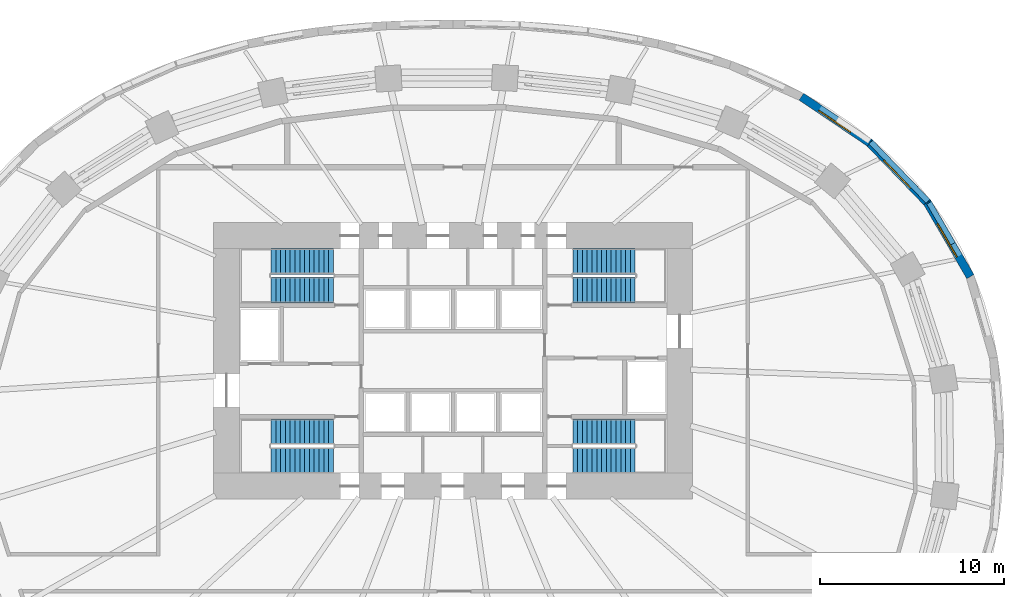
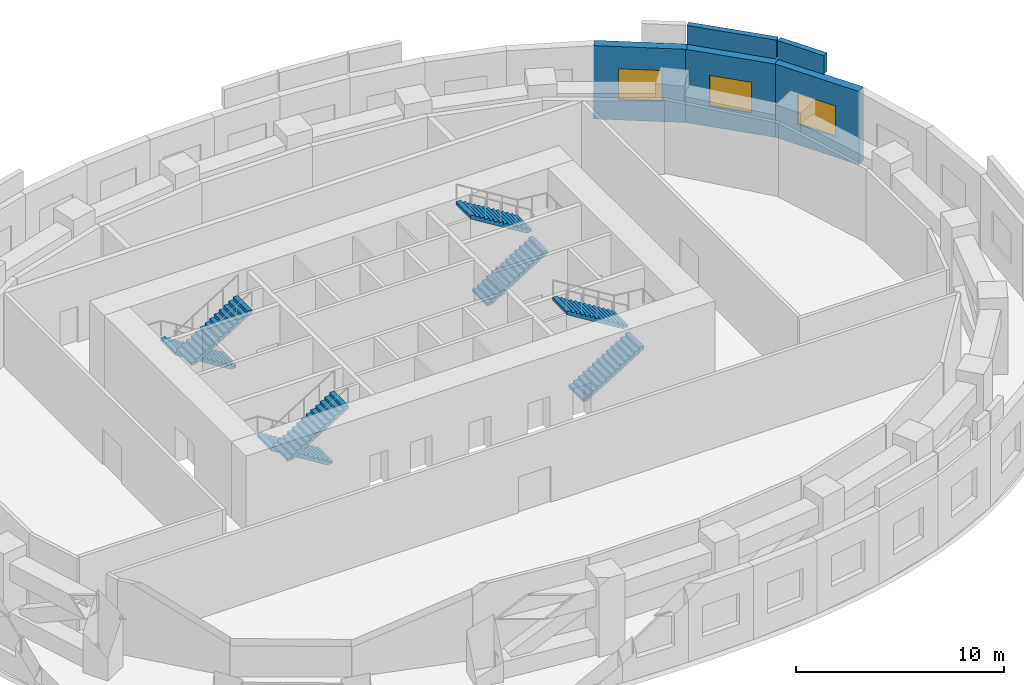
# One storey, part 8 of 9: 8 stair flights, 5 walls, 3 windows, 3 openings, 4 elements without a shape of their own.
"""IFC4 building model written with IfcOpenShell, lengths in metres."""

from ifc_helpers import new_model, si_unit, direction, frame, frame_2d, origin, place, context, subcontext, project, spatial, polyline, rectangle, outline, extrude, material, layer, layer_set, type_object, element, fill, aggregate, save


model = new_model("IFC4")

# Units and contexts
model_context = context("Model", 3, precision=1e-05, world=origin(), true_north=direction((0.0, 1.0)))
body_context = subcontext(model_context, "Body", "Model", "MODEL_VIEW")
ifc_project = project(units=[si_unit("LENGTHUNIT", "METRE"), si_unit("AREAUNIT", "SQUARE_METRE"), si_unit("VOLUMEUNIT", "CUBIC_METRE"), si_unit("PLANEANGLEUNIT", "RADIAN"), si_unit("MASSUNIT", "GRAM", prefix="KILO")], contexts=[model_context])

# Site, building, storey
site_placement = place(None, origin())
site = spatial("IfcSite", under=ifc_project, at=site_placement, CompositionType="ELEMENT")
building_placement = place(site_placement, origin())
building = spatial("IfcBuilding", under=site, at=building_placement, Name="Rubra Terraces Tower", CompositionType="ELEMENT")
storey_placement = place(building_placement, frame((0.0, 0.0, 33.0)))
storey = spatial("IfcBuildingStorey", under=building, at=storey_placement, Name="L05", CompositionType="ELEMENT", Elevation=33.0)

# Wall, opening, window
ifc_material_1 = material(Name="Brick masonry red-brown", Category="masonry")
ifc_layer_1 = layer(ifc_material_1, 0.449951171875)
ifc_layer_set_1 = layer_set([ifc_layer_1], Name="Brick masonry red-brown")
wall_type_1 = type_object("IfcWallType", Name="Brick facade wall 450", PredefinedType="SOLIDWALL", material=ifc_layer_set_1)
wall_1_placement = place(storey_placement, frame((28.073486328125, 9.072021484375, 0.0), z_axis=(0.0, 0.0, 1.0), x_axis=(-0.502106426501, 0.864805837438, 0.0)))
wall_1 = element("IfcWall", 1, at=wall_1_placement, inside=storey, type_object=wall_type_1, Name="Facade wall L05 bay 3", PredefinedType="SOLIDWALL", context=body_context, shape_type="SweptSolid", body=[
    extrude(rectangle(XDim=4.65673828125, YDim=0.449951171875, at=frame_2d((2.328369140625, 0.0))), origin(), (0.0, 0.0, 1.0), 4.300048828125),
])
opening_1_placement = place(wall_1_placement, frame((1.2783203125, 0.0, 1.199951171875)))
opening_1 = element("IfcOpeningElement", 2, at=opening_1_placement, cuts=wall_1, Name="Opening W4", PredefinedType="OPENING", context=body_context, shape_type="SweptSolid", body=[
    extrude(rectangle(XDim=2.10009765625, YDim=1.800048828125, at=frame_2d((1.050048828125, 0.89990234375))), frame((0.0, 0.23486328125, 0.0), z_axis=(0.0, -1.0, 0.0), x_axis=(1.0, 0.0, 0.0)), (0.0, 0.0, 1.0), 0.469970703125),
])
ifc_material_2 = material(Name="Clear glass in aluminium frame", Category="aluminium")
window_type = type_object("IfcWindowType", Name="Louvred plant window 2100 x 1800", PartitioningType="SINGLE_PANEL", PredefinedType="WINDOW", material=ifc_material_2)
window_1_placement = place(opening_1_placement, origin())
window_1 = element("IfcWindow", 3, at=window_1_placement, inside=storey, type_object=window_type, Name="Window L05 bay 3", OverallHeight=1.800048828125, OverallWidth=2.10009765625, PartitioningType="SINGLE_PANEL", PredefinedType="WINDOW", context=body_context, shape_type="SweptSolid", body=[
    extrude(rectangle(XDim=2.10009765625, YDim=1.800048828125, at=frame_2d((1.050048828125, 0.89990234375))), frame((0.0, 0.135009765625, 0.0), z_axis=(0.0, -1.0, 0.0), x_axis=(1.0, 0.0, 0.0)), (0.0, 0.0, 1.0), 0.06005859375),
])
fill(opening_1, window_1)

wall_2_placement = place(storey_placement, frame((25.76806640625, 13.055908203125, 0.0), z_axis=(0.0, 0.0, 1.0), x_axis=(-0.694191591241, 0.719790271294, 0.0)))
wall_2 = element("IfcWall", 4, at=wall_2_placement, inside=storey, type_object=wall_type_1, Name="Facade wall L05 bay 4", PredefinedType="SOLIDWALL", context=body_context, shape_type="SweptSolid", body=[
    extrude(rectangle(XDim=4.596923828125, YDim=0.449951171875, at=frame_2d((2.29833984375, 0.0))), origin(), (0.0, 0.0, 1.0), 4.300048828125),
])
opening_2_placement = place(wall_2_placement, frame((1.24853515625, 0.0, 1.199951171875)))
opening_2 = element("IfcOpeningElement", 5, at=opening_2_placement, cuts=wall_2, Name="Opening W4", PredefinedType="OPENING", context=body_context, shape_type="SweptSolid", body=[
    extrude(rectangle(XDim=2.10009765625, YDim=1.800048828125, at=frame_2d((1.050048828125, 0.89990234375))), frame((0.0, 0.23486328125, 0.0), z_axis=(0.0, -1.0, 0.0), x_axis=(1.0, 0.0, 0.0)), (0.0, 0.0, 1.0), 0.469970703125),
])
window_2_placement = place(opening_2_placement, origin())
window_2 = element("IfcWindow", 6, at=window_2_placement, inside=storey, type_object=window_type, Name="Window L05 bay 4", OverallHeight=1.800048828125, OverallWidth=2.10009765625, PartitioningType="SINGLE_PANEL", PredefinedType="WINDOW", context=body_context, shape_type="SweptSolid", body=[
    extrude(rectangle(XDim=2.10009765625, YDim=1.800048828125, at=frame_2d((1.050048828125, 0.89990234375))), frame((0.0, 0.135009765625, 0.0), z_axis=(0.0, -1.0, 0.0), x_axis=(1.0, 0.0, 0.0)), (0.0, 0.0, 1.0), 0.06005859375),
])
fill(opening_2, window_2)

wall_3_placement = place(storey_placement, frame((22.61328125, 16.33447265625, 0.0), z_axis=(0.0, 0.0, 1.0), x_axis=(-0.828976924359, 0.559282807604, 0.0)))
wall_3 = element("IfcWall", 7, at=wall_3_placement, inside=storey, type_object=wall_type_1, Name="Facade wall L05 bay 5", PredefinedType="SOLIDWALL", context=body_context, shape_type="SweptSolid", body=[
    extrude(rectangle(XDim=4.479248046875, YDim=0.449951171875, at=frame_2d((2.23974609375, 0.0))), origin(), (0.0, 0.0, 1.0), 4.300048828125),
])
opening_3_placement = place(wall_3_placement, frame((1.189453125, 0.0, 1.199951171875)))
opening_3 = element("IfcOpeningElement", 8, at=opening_3_placement, cuts=wall_3, Name="Opening W4", PredefinedType="OPENING", context=body_context, shape_type="SweptSolid", body=[
    extrude(rectangle(XDim=2.10009765625, YDim=1.800048828125, at=frame_2d((1.050048828125, 0.89990234375))), frame((0.0, 0.23486328125, 0.0), z_axis=(0.0, -1.0, 0.0), x_axis=(1.0, 0.0, 0.0)), (0.0, 0.0, 1.0), 0.469970703125),
])
window_3_placement = place(opening_3_placement, origin())
window_3 = element("IfcWindow", 9, at=window_3_placement, inside=storey, type_object=window_type, Name="Window L05 bay 5", OverallHeight=1.800048828125, OverallWidth=2.10009765625, PartitioningType="SINGLE_PANEL", PredefinedType="WINDOW", context=body_context, shape_type="SweptSolid", body=[
    extrude(rectangle(XDim=2.10009765625, YDim=1.800048828125, at=frame_2d((1.050048828125, 0.89990234375))), frame((0.0, 0.135009765625, 0.0), z_axis=(0.0, -1.0, 0.0), x_axis=(1.0, 0.0, 0.0)), (0.0, 0.0, 1.0), 0.06005859375),
])
fill(opening_3, window_3)

# Walls
ifc_layer_2 = layer(ifc_material_1, 0.300048828125)
ifc_layer_set_2 = layer_set([ifc_layer_2], Name="Brick masonry red-brown")
wall_type_2 = type_object("IfcWallType", Name="Brick parapet 300", PredefinedType="PARAPET", material=ifc_layer_set_2)
wall_4_placement = place(storey_placement, frame((27.1259765625, 10.853515625, 4.5), z_axis=(0.0, 0.0, 1.0), x_axis=(-0.502153823608, 0.864778316932, 0.0)))
element("IfcWall", 10, at=wall_4_placement, inside=storey, type_object=wall_type_2, Name="Parapet L05 bay 3", PredefinedType="PARAPET", context=body_context, shape_type="SweptSolid", body=[
    extrude(rectangle(XDim=2.573974609375, YDim=0.300048828125, at=frame_2d((1.287109375, 0.0))), origin(), (0.0, 0.0, 1.0), 1.10009765625),
])
wall_5_placement = place(storey_placement, frame((25.77587890625, 13.155517578125, 4.5), z_axis=(0.0, 0.0, 1.0), x_axis=(-0.694124449593, 0.719855019068, 0.0)))
element("IfcWall", 11, at=wall_5_placement, inside=storey, type_object=wall_type_2, Name="Parapet L05 bay 4", PredefinedType="PARAPET", context=body_context, shape_type="SweptSolid", body=[
    extrude(rectangle(XDim=4.468994140625, YDim=0.300048828125, at=frame_2d((2.234375, 0.0))), origin(), (0.0, 0.0, 1.0), 1.10009765625),
])

# Stair, stair flights
ifc_material_3 = material(Name="Concrete C40", Category="concrete")
stair_type = type_object("IfcStairType", Name="Core stair 1400", PredefinedType="HALF_TURN_STAIR", material=ifc_material_3)
stair_1_placement = place(storey_placement, origin())
stair_1 = element("IfcStair", 12, at=stair_1_placement, inside=storey, type_object=stair_type, Name="L05 Exit stair S1", PredefinedType="HALF_TURN_STAIR")
stair_flight_type = type_object("IfcStairFlightType", Name="Core stair flight 1400", PredefinedType="STRAIGHT", material=ifc_material_3)
stair_flight_1_placement = place(storey_placement, frame((-6.5, 0.64990234375, 0.0), z_axis=(0.0, 0.0, 1.0), x_axis=(-1.0, 0.0, 0.0)))
stair_flight_1 = element("IfcStairFlight", 13, at=stair_flight_1_placement, type_object=stair_flight_type, Name="S1 flight 1", NumberOfRisers=14, NumberOfTreads=13, PredefinedType="STRAIGHT", RiserHeight=0.160714286, TreadLength=0.26, context=body_context, shape_type="SweptSolid", body=[
    extrude(outline(polyline([(0.0, 0.0), (0.0, 0.16064453125), (0.260009765625, 0.16064453125), (0.260009765625, 0.321533203125), (0.52001953125, 0.321533203125), (0.52001953125, 0.482177734375), (0.780029296875, 0.482177734375), (0.780029296875, 0.642822265625), (1.0400390625, 0.642822265625), (1.0400390625, 0.803466796875), (1.300048828125, 0.803466796875), (1.300048828125, 0.96435546875), (1.56005859375, 0.96435546875), (1.56005859375, 1.125), (1.820068359375, 1.125), (1.820068359375, 1.28564453125), (2.080078125, 1.28564453125), (2.080078125, 1.446533203125), (2.340087890625, 1.446533203125), (2.340087890625, 1.607177734375), (2.60009765625, 1.607177734375), (2.60009765625, 1.767822265625), (2.860107421875, 1.767822265625), (2.860107421875, 1.928466796875), (3.1201171875, 1.928466796875), (3.1201171875, 2.08935546875), (3.3798828125, 2.08935546875), (3.3798828125, 2.25), (3.3798828125, 1.9130859375), (0.28515625, 0.0), (0.0, 0.0)])), frame((0.0, 0.699951171875, 0.0), z_axis=(0.0, -1.0, 0.0), x_axis=(1.0, 0.0, 0.0)), (0.0, 0.0, 1.0), 1.39990234375),
])
stair_flight_2_placement = place(storey_placement, frame((-9.8798828125, -0.89990234375, 2.25), z_axis=(0.0, 0.0, 1.0), x_axis=(1.0, 0.0, 0.0)))
stair_flight_2 = element("IfcStairFlight", 14, at=stair_flight_2_placement, type_object=stair_flight_type, Name="S1 flight 2", NumberOfRisers=14, NumberOfTreads=13, PredefinedType="STRAIGHT", RiserHeight=0.160714286, TreadLength=0.26, context=body_context, shape_type="SweptSolid", body=[
    extrude(outline(polyline([(0.0, 0.0), (0.0, 0.16064453125), (0.260009765625, 0.16064453125), (0.260009765625, 0.321533203125), (0.52001953125, 0.321533203125), (0.52001953125, 0.482177734375), (0.780029296875, 0.482177734375), (0.780029296875, 0.642822265625), (1.0400390625, 0.642822265625), (1.0400390625, 0.803466796875), (1.300048828125, 0.803466796875), (1.300048828125, 0.96435546875), (1.56005859375, 0.96435546875), (1.56005859375, 1.125), (1.820068359375, 1.125), (1.820068359375, 1.28564453125), (2.080078125, 1.28564453125), (2.080078125, 1.446533203125), (2.340087890625, 1.446533203125), (2.340087890625, 1.607177734375), (2.60009765625, 1.607177734375), (2.60009765625, 1.767822265625), (2.860107421875, 1.767822265625), (2.860107421875, 1.928466796875), (3.1201171875, 1.928466796875), (3.1201171875, 2.08935546875), (3.3798828125, 2.08935546875), (3.3798828125, 2.25), (3.3798828125, 1.9130859375), (0.28515625, 0.0), (0.0, 0.0)])), frame((0.0, 0.699951171875, 0.0), z_axis=(0.0, -1.0, 0.0), x_axis=(1.0, 0.0, 0.0)), (0.0, 0.0, 1.0), 1.39990234375),
])
aggregate(stair_1, [stair_flight_1, stair_flight_2])

stair_2_placement = place(storey_placement, origin())
stair_2 = element("IfcStair", 15, at=stair_2_placement, inside=storey, type_object=stair_type, Name="L05 Exit stair S2", PredefinedType="HALF_TURN_STAIR")
stair_flight_3_placement = place(storey_placement, frame((-6.5, 9.89990234375, 0.0), z_axis=(0.0, 0.0, 1.0), x_axis=(-1.0, 0.0, 0.0)))
stair_flight_3 = element("IfcStairFlight", 16, at=stair_flight_3_placement, type_object=stair_flight_type, Name="S2 flight 1", NumberOfRisers=14, NumberOfTreads=13, PredefinedType="STRAIGHT", RiserHeight=0.160714286, TreadLength=0.26, context=body_context, shape_type="SweptSolid", body=[
    extrude(outline(polyline([(0.0, 0.0), (0.0, 0.16064453125), (0.260009765625, 0.16064453125), (0.260009765625, 0.321533203125), (0.52001953125, 0.321533203125), (0.52001953125, 0.482177734375), (0.780029296875, 0.482177734375), (0.780029296875, 0.642822265625), (1.0400390625, 0.642822265625), (1.0400390625, 0.803466796875), (1.300048828125, 0.803466796875), (1.300048828125, 0.96435546875), (1.56005859375, 0.96435546875), (1.56005859375, 1.125), (1.820068359375, 1.125), (1.820068359375, 1.28564453125), (2.080078125, 1.28564453125), (2.080078125, 1.446533203125), (2.340087890625, 1.446533203125), (2.340087890625, 1.607177734375), (2.60009765625, 1.607177734375), (2.60009765625, 1.767822265625), (2.860107421875, 1.767822265625), (2.860107421875, 1.928466796875), (3.1201171875, 1.928466796875), (3.1201171875, 2.08935546875), (3.3798828125, 2.08935546875), (3.3798828125, 2.25), (3.3798828125, 1.9130859375), (0.28515625, 0.0), (0.0, 0.0)])), frame((0.0, 0.699951171875, 0.0), z_axis=(0.0, -1.0, 0.0), x_axis=(1.0, 0.0, 0.0)), (0.0, 0.0, 1.0), 1.39990234375),
])
stair_flight_4_placement = place(storey_placement, frame((-9.8798828125, 8.35009765625, 2.25), z_axis=(0.0, 0.0, 1.0), x_axis=(1.0, 0.0, 0.0)))
stair_flight_4 = element("IfcStairFlight", 17, at=stair_flight_4_placement, type_object=stair_flight_type, Name="S2 flight 2", NumberOfRisers=14, NumberOfTreads=13, PredefinedType="STRAIGHT", RiserHeight=0.160714286, TreadLength=0.26, context=body_context, shape_type="SweptSolid", body=[
    extrude(outline(polyline([(0.0, 0.0), (0.0, 0.16064453125), (0.260009765625, 0.16064453125), (0.260009765625, 0.321533203125), (0.52001953125, 0.321533203125), (0.52001953125, 0.482177734375), (0.780029296875, 0.482177734375), (0.780029296875, 0.642822265625), (1.0400390625, 0.642822265625), (1.0400390625, 0.803466796875), (1.300048828125, 0.803466796875), (1.300048828125, 0.96435546875), (1.56005859375, 0.96435546875), (1.56005859375, 1.125), (1.820068359375, 1.125), (1.820068359375, 1.28564453125), (2.080078125, 1.28564453125), (2.080078125, 1.446533203125), (2.340087890625, 1.446533203125), (2.340087890625, 1.607177734375), (2.60009765625, 1.607177734375), (2.60009765625, 1.767822265625), (2.860107421875, 1.767822265625), (2.860107421875, 1.928466796875), (3.1201171875, 1.928466796875), (3.1201171875, 2.08935546875), (3.3798828125, 2.08935546875), (3.3798828125, 2.25), (3.3798828125, 1.9130859375), (0.28515625, 0.0), (0.0, 0.0)])), frame((0.0, 0.699951171875, 0.0), z_axis=(0.0, -1.0, 0.0), x_axis=(1.0, 0.0, 0.0)), (0.0, 0.0, 1.0), 1.39990234375),
])
aggregate(stair_2, [stair_flight_3, stair_flight_4])

stair_3_placement = place(storey_placement, origin())
stair_3 = element("IfcStair", 18, at=stair_3_placement, inside=storey, type_object=stair_type, Name="L05 Exit stair S3", PredefinedType="HALF_TURN_STAIR")
stair_flight_5_placement = place(storey_placement, frame((6.5, 8.35009765625, 0.0), z_axis=(0.0, 0.0, 1.0), x_axis=(1.0, 0.0, 0.0)))
stair_flight_5 = element("IfcStairFlight", 19, at=stair_flight_5_placement, type_object=stair_flight_type, Name="S3 flight 1", NumberOfRisers=14, NumberOfTreads=13, PredefinedType="STRAIGHT", RiserHeight=0.160714286, TreadLength=0.26, context=body_context, shape_type="SweptSolid", body=[
    extrude(outline(polyline([(0.0, 0.0), (0.0, 0.16064453125), (0.260009765625, 0.16064453125), (0.260009765625, 0.321533203125), (0.52001953125, 0.321533203125), (0.52001953125, 0.482177734375), (0.780029296875, 0.482177734375), (0.780029296875, 0.642822265625), (1.0400390625, 0.642822265625), (1.0400390625, 0.803466796875), (1.300048828125, 0.803466796875), (1.300048828125, 0.96435546875), (1.56005859375, 0.96435546875), (1.56005859375, 1.125), (1.820068359375, 1.125), (1.820068359375, 1.28564453125), (2.080078125, 1.28564453125), (2.080078125, 1.446533203125), (2.340087890625, 1.446533203125), (2.340087890625, 1.607177734375), (2.60009765625, 1.607177734375), (2.60009765625, 1.767822265625), (2.860107421875, 1.767822265625), (2.860107421875, 1.928466796875), (3.1201171875, 1.928466796875), (3.1201171875, 2.08935546875), (3.3798828125, 2.08935546875), (3.3798828125, 2.25), (3.3798828125, 1.9130859375), (0.28515625, 0.0), (0.0, 0.0)])), frame((0.0, 0.699951171875, 0.0), z_axis=(0.0, -1.0, 0.0), x_axis=(1.0, 0.0, 0.0)), (0.0, 0.0, 1.0), 1.39990234375),
])
stair_flight_6_placement = place(storey_placement, frame((9.8798828125, 9.89990234375, 2.25), z_axis=(0.0, 0.0, 1.0), x_axis=(-1.0, 0.0, 0.0)))
stair_flight_6 = element("IfcStairFlight", 20, at=stair_flight_6_placement, type_object=stair_flight_type, Name="S3 flight 2", NumberOfRisers=14, NumberOfTreads=13, PredefinedType="STRAIGHT", RiserHeight=0.160714286, TreadLength=0.26, context=body_context, shape_type="SweptSolid", body=[
    extrude(outline(polyline([(0.0, 0.0), (0.0, 0.16064453125), (0.260009765625, 0.16064453125), (0.260009765625, 0.321533203125), (0.52001953125, 0.321533203125), (0.52001953125, 0.482177734375), (0.780029296875, 0.482177734375), (0.780029296875, 0.642822265625), (1.0400390625, 0.642822265625), (1.0400390625, 0.803466796875), (1.300048828125, 0.803466796875), (1.300048828125, 0.96435546875), (1.56005859375, 0.96435546875), (1.56005859375, 1.125), (1.820068359375, 1.125), (1.820068359375, 1.28564453125), (2.080078125, 1.28564453125), (2.080078125, 1.446533203125), (2.340087890625, 1.446533203125), (2.340087890625, 1.607177734375), (2.60009765625, 1.607177734375), (2.60009765625, 1.767822265625), (2.860107421875, 1.767822265625), (2.860107421875, 1.928466796875), (3.1201171875, 1.928466796875), (3.1201171875, 2.08935546875), (3.3798828125, 2.08935546875), (3.3798828125, 2.25), (3.3798828125, 1.9130859375), (0.28515625, 0.0), (0.0, 0.0)])), frame((0.0, 0.699951171875, 0.0), z_axis=(0.0, -1.0, 0.0), x_axis=(1.0, 0.0, 0.0)), (0.0, 0.0, 1.0), 1.39990234375),
])
aggregate(stair_3, [stair_flight_5, stair_flight_6])

stair_4_placement = place(storey_placement, origin())
stair_4 = element("IfcStair", 21, at=stair_4_placement, inside=storey, type_object=stair_type, Name="L05 Exit stair S4", PredefinedType="HALF_TURN_STAIR")
stair_flight_7_placement = place(storey_placement, frame((6.5, -0.89990234375, 0.0), z_axis=(0.0, 0.0, 1.0), x_axis=(1.0, 0.0, 0.0)))
stair_flight_7 = element("IfcStairFlight", 22, at=stair_flight_7_placement, type_object=stair_flight_type, Name="S4 flight 1", NumberOfRisers=14, NumberOfTreads=13, PredefinedType="STRAIGHT", RiserHeight=0.160714286, TreadLength=0.26, context=body_context, shape_type="SweptSolid", body=[
    extrude(outline(polyline([(0.0, 0.0), (0.0, 0.16064453125), (0.260009765625, 0.16064453125), (0.260009765625, 0.321533203125), (0.52001953125, 0.321533203125), (0.52001953125, 0.482177734375), (0.780029296875, 0.482177734375), (0.780029296875, 0.642822265625), (1.0400390625, 0.642822265625), (1.0400390625, 0.803466796875), (1.300048828125, 0.803466796875), (1.300048828125, 0.96435546875), (1.56005859375, 0.96435546875), (1.56005859375, 1.125), (1.820068359375, 1.125), (1.820068359375, 1.28564453125), (2.080078125, 1.28564453125), (2.080078125, 1.446533203125), (2.340087890625, 1.446533203125), (2.340087890625, 1.607177734375), (2.60009765625, 1.607177734375), (2.60009765625, 1.767822265625), (2.860107421875, 1.767822265625), (2.860107421875, 1.928466796875), (3.1201171875, 1.928466796875), (3.1201171875, 2.08935546875), (3.3798828125, 2.08935546875), (3.3798828125, 2.25), (3.3798828125, 1.9130859375), (0.28515625, 0.0), (0.0, 0.0)])), frame((0.0, 0.699951171875, 0.0), z_axis=(0.0, -1.0, 0.0), x_axis=(1.0, 0.0, 0.0)), (0.0, 0.0, 1.0), 1.39990234375),
])
stair_flight_8_placement = place(storey_placement, frame((9.8798828125, 0.64990234375, 2.25), z_axis=(0.0, 0.0, 1.0), x_axis=(-1.0, 0.0, 0.0)))
stair_flight_8 = element("IfcStairFlight", 23, at=stair_flight_8_placement, type_object=stair_flight_type, Name="S4 flight 2", NumberOfRisers=14, NumberOfTreads=13, PredefinedType="STRAIGHT", RiserHeight=0.160714286, TreadLength=0.26, context=body_context, shape_type="SweptSolid", body=[
    extrude(outline(polyline([(0.0, 0.0), (0.0, 0.16064453125), (0.260009765625, 0.16064453125), (0.260009765625, 0.321533203125), (0.52001953125, 0.321533203125), (0.52001953125, 0.482177734375), (0.780029296875, 0.482177734375), (0.780029296875, 0.642822265625), (1.0400390625, 0.642822265625), (1.0400390625, 0.803466796875), (1.300048828125, 0.803466796875), (1.300048828125, 0.96435546875), (1.56005859375, 0.96435546875), (1.56005859375, 1.125), (1.820068359375, 1.125), (1.820068359375, 1.28564453125), (2.080078125, 1.28564453125), (2.080078125, 1.446533203125), (2.340087890625, 1.446533203125), (2.340087890625, 1.607177734375), (2.60009765625, 1.607177734375), (2.60009765625, 1.767822265625), (2.860107421875, 1.767822265625), (2.860107421875, 1.928466796875), (3.1201171875, 1.928466796875), (3.1201171875, 2.08935546875), (3.3798828125, 2.08935546875), (3.3798828125, 2.25), (3.3798828125, 1.9130859375), (0.28515625, 0.0), (0.0, 0.0)])), frame((0.0, 0.699951171875, 0.0), z_axis=(0.0, -1.0, 0.0), x_axis=(1.0, 0.0, 0.0)), (0.0, 0.0, 1.0), 1.39990234375),
])
aggregate(stair_4, [stair_flight_7, stair_flight_8])

save(model, "model.ifc")
